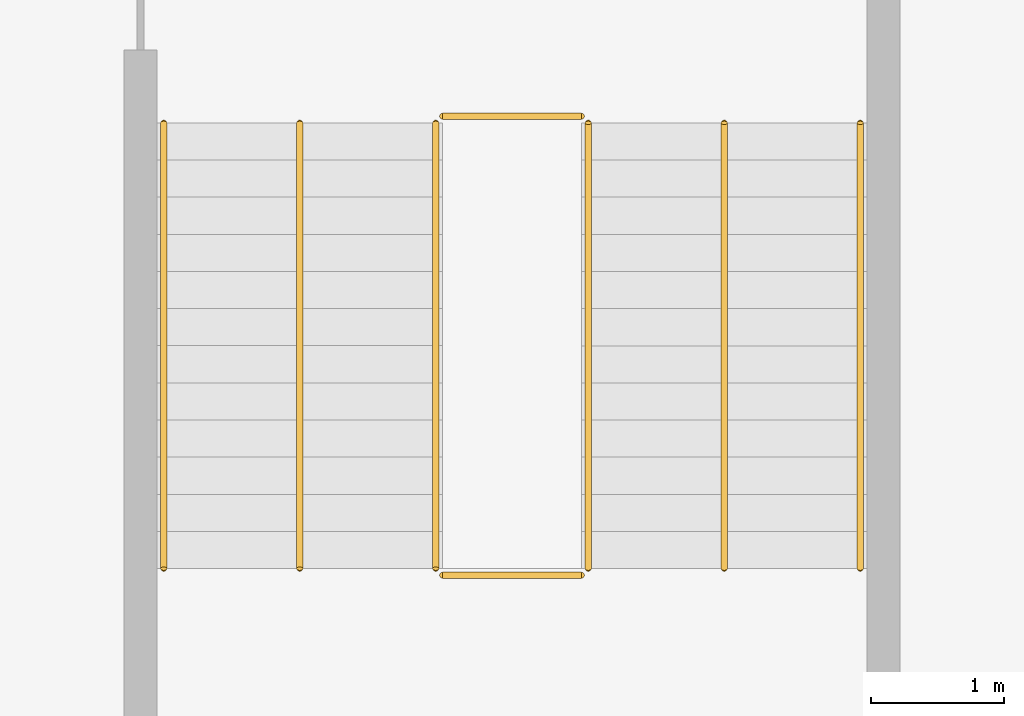
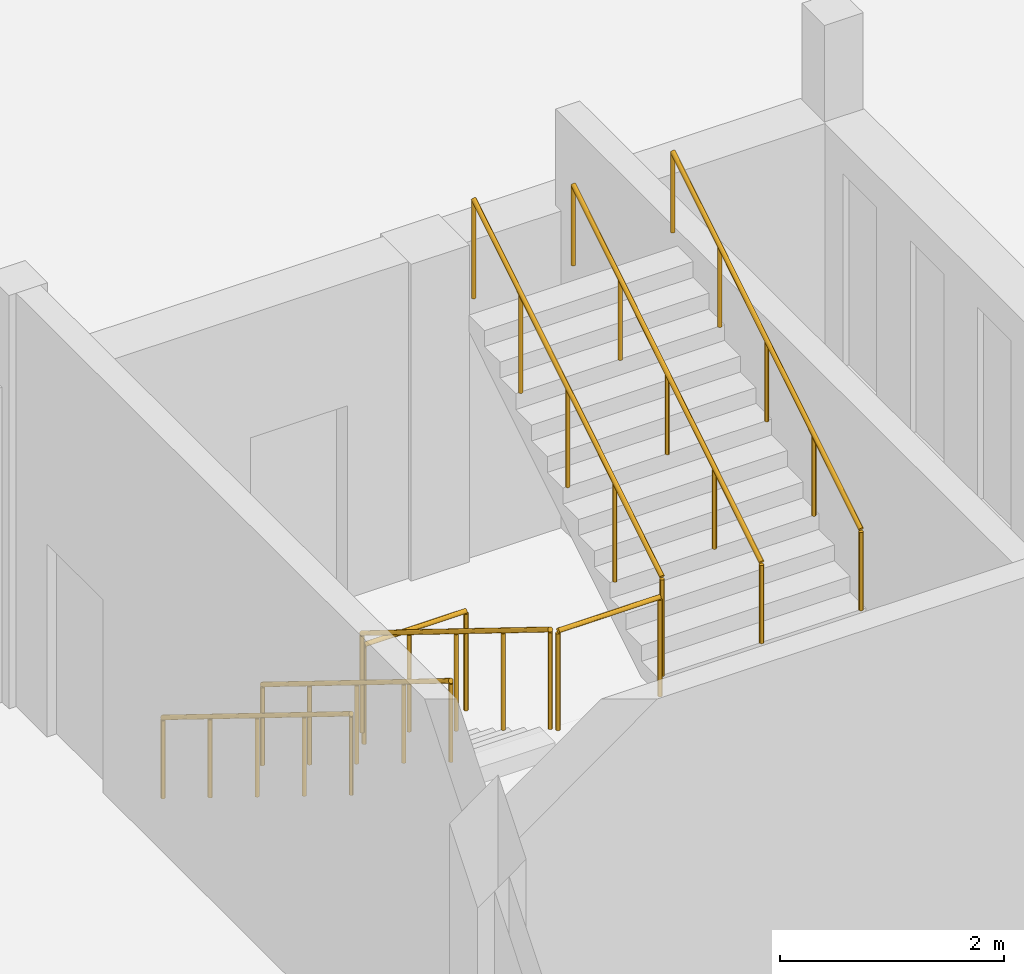
# One storey, part 100 of 101: 8 railings.
"""IFC4 building model written with IfcOpenShell, lengths in metres."""

from ifc_helpers import new_model, si_unit, direction, frame, origin, origin_2d, place, context, subcontext, project, spatial, circle, extrude, material, type_object, element, save


model = new_model("IFC4")

# Units and contexts
model_context = context("Model", 3, precision=1e-05, world=origin(), true_north=direction((0.0, 1.0)))
body_context = subcontext(model_context, "Body", "Model", "MODEL_VIEW")
ifc_project = project(units=[si_unit("LENGTHUNIT", "METRE"), si_unit("AREAUNIT", "SQUARE_METRE"), si_unit("VOLUMEUNIT", "CUBIC_METRE"), si_unit("PLANEANGLEUNIT", "RADIAN"), si_unit("MASSUNIT", "GRAM", prefix="KILO")], contexts=[model_context])

# Site, building, storey
site_placement = place(None, origin())
site = spatial("IfcSite", under=ifc_project, at=site_placement, CompositionType="ELEMENT")
building_placement = place(site_placement, origin())
building = spatial("IfcBuilding", under=site, at=building_placement, Name="Fescue Hill Polytechnic", CompositionType="ELEMENT")
storey_placement = place(building_placement, frame((0.0, 0.0, 9.0)))
storey = spatial("IfcBuildingStorey", under=building, at=storey_placement, Name="L02", CompositionType="ELEMENT", Elevation=9.0)

# Railings
ifc_material = material(Name="Steel 350W (350 MPa)", Category="steel")
railing_type_1 = type_object("IfcRailingType", Name="Stair guard steel 1100", PredefinedType="GUARDRAIL", material=ifc_material)
railing_1_placement = place(storey_placement, frame((111.425048828125, 132.10009765625, 0.173095703125)))
element("IfcRailing", 1, at=railing_1_placement, inside=storey, type_object=railing_type_1, Name="L02 ST-V4b-2 stair guard 1", PredefinedType="GUARDRAIL", context=body_context, shape_type="SweptSolid", body=[
    extrude(circle(Radius=0.02392578125, at=origin_2d()), frame((0.0, 0.0, 1.076171875), z_axis=(0.0, -0.850623216509, 0.525775754039), x_axis=(1.0, 0.0, 0.0)), (0.0, 0.0, 1.0), 3.9501953125),
    extrude(circle(Radius=0.02099609375, at=origin_2d()), origin(), (0.0, 0.0, 1.0), 1.052001953125),
    extrude(circle(Radius=0.02099609375, at=origin_2d()), frame((0.0, -0.840087890625, 0.519287109375)), (0.0, 0.0, 1.0), 1.052001953125),
    extrude(circle(Radius=0.02099609375, at=origin_2d()), frame((0.0, -1.68017578125, 1.03857421875)), (0.0, 0.0, 1.0), 1.052001953125),
    extrude(circle(Radius=0.02099609375, at=origin_2d()), frame((0.0, -2.52001953125, 1.5576171875)), (0.0, 0.0, 1.0), 1.052001953125),
    extrude(circle(Radius=0.02099609375, at=origin_2d()), frame((0.0, -3.360107421875, 2.076904296875)), (0.0, 0.0, 1.0), 1.052001953125),
])
railing_2_placement = place(storey_placement, frame((111.47509765625, 128.68994140625, 2.25)))
element("IfcRailing", 2, at=railing_2_placement, inside=storey, type_object=railing_type_1, Name="L02 ST-V4b-2 stair guard 2", PredefinedType="GUARDRAIL", context=body_context, shape_type="SweptSolid", body=[
    extrude(circle(Radius=0.02392578125, at=origin_2d()), frame((0.0, 0.0, 1.076171875), z_axis=(1.0, 0.0, 0.0), x_axis=(0.0, 1.0, 0.0)), (0.0, 0.0, 1.0), 1.0498046875),
    extrude(circle(Radius=0.02099609375, at=origin_2d()), origin(), (0.0, 0.0, 1.0), 1.052001953125),
    extrude(circle(Radius=0.02099609375, at=origin_2d()), frame((1.0498046875, 0.0, 0.0)), (0.0, 0.0, 1.0), 1.052001953125),
])
railing_3_placement = place(storey_placement, frame((112.574951171875, 128.739990234375, 2.423095703125)))
element("IfcRailing", 3, at=railing_3_placement, inside=storey, type_object=railing_type_1, Name="L02 ST-V4b-2 stair guard 3", PredefinedType="GUARDRAIL", context=body_context, shape_type="SweptSolid", body=[
    extrude(circle(Radius=0.02392578125, at=origin_2d()), frame((0.0, 0.0, 1.076171875), z_axis=(0.0, 0.850623216509, 0.525775754039), x_axis=(-1.0, 0.0, 0.0)), (0.0, 0.0, 1.0), 3.9501953125),
    extrude(circle(Radius=0.02099609375, at=origin_2d()), origin(), (0.0, 0.0, 1.0), 1.052001953125),
    extrude(circle(Radius=0.02099609375, at=origin_2d()), frame((0.0, 0.840087890625, 0.519287109375)), (0.0, 0.0, 1.0), 1.052001953125),
    extrude(circle(Radius=0.02099609375, at=origin_2d()), frame((0.0, 1.68017578125, 1.03857421875)), (0.0, 0.0, 1.0), 1.052001953125),
    extrude(circle(Radius=0.02099609375, at=origin_2d()), frame((0.0, 2.52001953125, 1.5576171875)), (0.0, 0.0, 1.0), 1.052001953125),
    extrude(circle(Radius=0.02099609375, at=origin_2d()), frame((0.0, 3.360107421875, 2.076904296875)), (0.0, 0.0, 1.0), 1.052001953125),
])
railing_4_placement = place(storey_placement, frame((111.47509765625, 132.14990234375, 0.0)))
element("IfcRailing", 4, at=railing_4_placement, inside=storey, type_object=railing_type_1, Name="L02 ST-V4b-2 stair guard 4", PredefinedType="GUARDRAIL", context=body_context, shape_type="SweptSolid", body=[
    extrude(circle(Radius=0.02392578125, at=origin_2d()), frame((0.0, 0.0, 1.076171875), z_axis=(1.0, 0.0, 0.0), x_axis=(0.0, 1.0, 0.0)), (0.0, 0.0, 1.0), 1.0498046875),
    extrude(circle(Radius=0.02099609375, at=origin_2d()), origin(), (0.0, 0.0, 1.0), 1.052001953125),
    extrude(circle(Radius=0.02099609375, at=origin_2d()), frame((1.0498046875, 0.0, 0.0)), (0.0, 0.0, 1.0), 1.052001953125),
])
railing_type_2 = type_object("IfcRailingType", Name="Stair handrail steel 900", PredefinedType="HANDRAIL", material=ifc_material)
railing_5_placement = place(storey_placement, frame((109.375, 132.10009765625, 0.173095703125)))
element("IfcRailing", 5, at=railing_5_placement, inside=storey, type_object=railing_type_2, Name="L02 ST-V4b-2 stair handrail 1", PredefinedType="HANDRAIL", context=body_context, shape_type="SweptSolid", body=[
    extrude(circle(Radius=0.02392578125, at=origin_2d()), frame((0.0, 0.0, 0.8759765625), z_axis=(0.0, -0.850623216509, 0.525775754039), x_axis=(1.0, 0.0, 0.0)), (0.0, 0.0, 1.0), 3.9501953125),
    extrude(circle(Radius=0.02099609375, at=origin_2d()), origin(), (0.0, 0.0, 1.0), 0.851806640625),
    extrude(circle(Radius=0.02099609375, at=origin_2d()), frame((0.0, -0.840087890625, 0.519287109375)), (0.0, 0.0, 1.0), 0.851806640625),
    extrude(circle(Radius=0.02099609375, at=origin_2d()), frame((0.0, -1.68017578125, 1.03857421875)), (0.0, 0.0, 1.0), 0.851806640625),
    extrude(circle(Radius=0.02099609375, at=origin_2d()), frame((0.0, -2.52001953125, 1.5576171875)), (0.0, 0.0, 1.0), 0.851806640625),
    extrude(circle(Radius=0.02099609375, at=origin_2d()), frame((0.0, -3.360107421875, 2.076904296875)), (0.0, 0.0, 1.0), 0.851806640625),
])
railing_6_placement = place(storey_placement, frame((114.625, 128.739990234375, 2.423095703125)))
element("IfcRailing", 6, at=railing_6_placement, inside=storey, type_object=railing_type_2, Name="L02 ST-V4b-2 stair handrail 2", PredefinedType="HANDRAIL", context=body_context, shape_type="SweptSolid", body=[
    extrude(circle(Radius=0.02392578125, at=origin_2d()), frame((0.0, 0.0, 0.8759765625), z_axis=(0.0, 0.850623216509, 0.525775754039), x_axis=(-1.0, 0.0, 0.0)), (0.0, 0.0, 1.0), 3.9501953125),
    extrude(circle(Radius=0.02099609375, at=origin_2d()), origin(), (0.0, 0.0, 1.0), 0.851806640625),
    extrude(circle(Radius=0.02099609375, at=origin_2d()), frame((0.0, 0.840087890625, 0.519287109375)), (0.0, 0.0, 1.0), 0.851806640625),
    extrude(circle(Radius=0.02099609375, at=origin_2d()), frame((0.0, 1.68017578125, 1.03857421875)), (0.0, 0.0, 1.0), 0.851806640625),
    extrude(circle(Radius=0.02099609375, at=origin_2d()), frame((0.0, 2.52001953125, 1.5576171875)), (0.0, 0.0, 1.0), 0.851806640625),
    extrude(circle(Radius=0.02099609375, at=origin_2d()), frame((0.0, 3.360107421875, 2.076904296875)), (0.0, 0.0, 1.0), 0.851806640625),
])
railing_7_placement = place(storey_placement, frame((110.39990234375, 132.10009765625, 0.173095703125)))
element("IfcRailing", 7, at=railing_7_placement, inside=storey, type_object=railing_type_2, Name="L02 ST-V4b-2 stair handrail 3", PredefinedType="HANDRAIL", context=body_context, shape_type="SweptSolid", body=[
    extrude(circle(Radius=0.02392578125, at=origin_2d()), frame((0.0, 0.0, 0.8759765625), z_axis=(0.0, -0.850623216509, 0.525775754039), x_axis=(1.0, 0.0, 0.0)), (0.0, 0.0, 1.0), 3.9501953125),
    extrude(circle(Radius=0.02099609375, at=origin_2d()), origin(), (0.0, 0.0, 1.0), 0.851806640625),
    extrude(circle(Radius=0.02099609375, at=origin_2d()), frame((0.0, -0.840087890625, 0.519287109375)), (0.0, 0.0, 1.0), 0.851806640625),
    extrude(circle(Radius=0.02099609375, at=origin_2d()), frame((0.0, -1.68017578125, 1.03857421875)), (0.0, 0.0, 1.0), 0.851806640625),
    extrude(circle(Radius=0.02099609375, at=origin_2d()), frame((0.0, -2.52001953125, 1.5576171875)), (0.0, 0.0, 1.0), 0.851806640625),
    extrude(circle(Radius=0.02099609375, at=origin_2d()), frame((0.0, -3.360107421875, 2.076904296875)), (0.0, 0.0, 1.0), 0.851806640625),
])
railing_8_placement = place(storey_placement, frame((113.60009765625, 128.739990234375, 2.423095703125)))
element("IfcRailing", 8, at=railing_8_placement, inside=storey, type_object=railing_type_2, Name="L02 ST-V4b-2 stair handrail 4", PredefinedType="HANDRAIL", context=body_context, shape_type="SweptSolid", body=[
    extrude(circle(Radius=0.02392578125, at=origin_2d()), frame((0.0, 0.0, 0.8759765625), z_axis=(0.0, 0.850623216509, 0.525775754039), x_axis=(-1.0, 0.0, 0.0)), (0.0, 0.0, 1.0), 3.9501953125),
    extrude(circle(Radius=0.02099609375, at=origin_2d()), origin(), (0.0, 0.0, 1.0), 0.851806640625),
    extrude(circle(Radius=0.02099609375, at=origin_2d()), frame((0.0, 0.840087890625, 0.519287109375)), (0.0, 0.0, 1.0), 0.851806640625),
    extrude(circle(Radius=0.02099609375, at=origin_2d()), frame((0.0, 1.68017578125, 1.03857421875)), (0.0, 0.0, 1.0), 0.851806640625),
    extrude(circle(Radius=0.02099609375, at=origin_2d()), frame((0.0, 2.52001953125, 1.5576171875)), (0.0, 0.0, 1.0), 0.851806640625),
    extrude(circle(Radius=0.02099609375, at=origin_2d()), frame((0.0, 3.360107421875, 2.076904296875)), (0.0, 0.0, 1.0), 0.851806640625),
])

save(model, "model.ifc")
